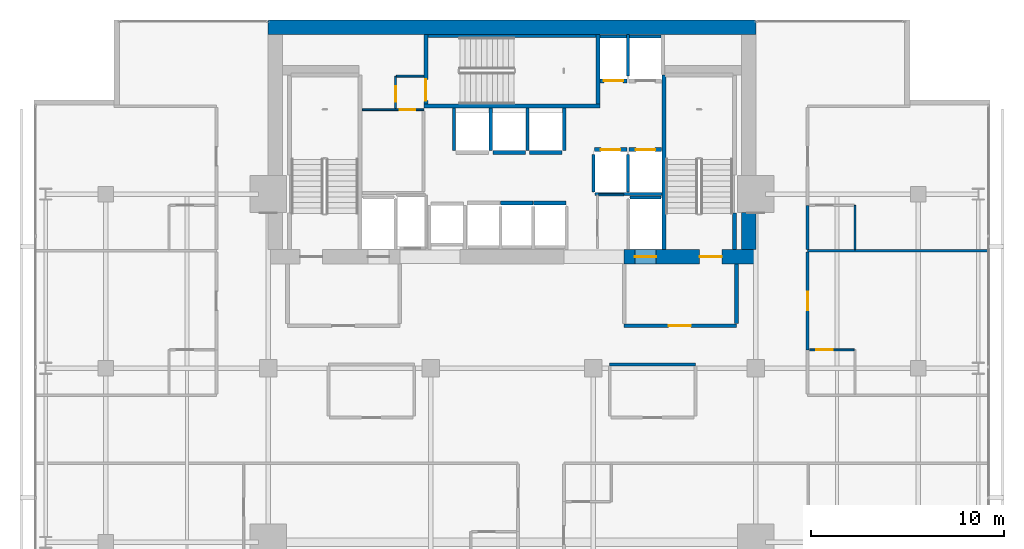
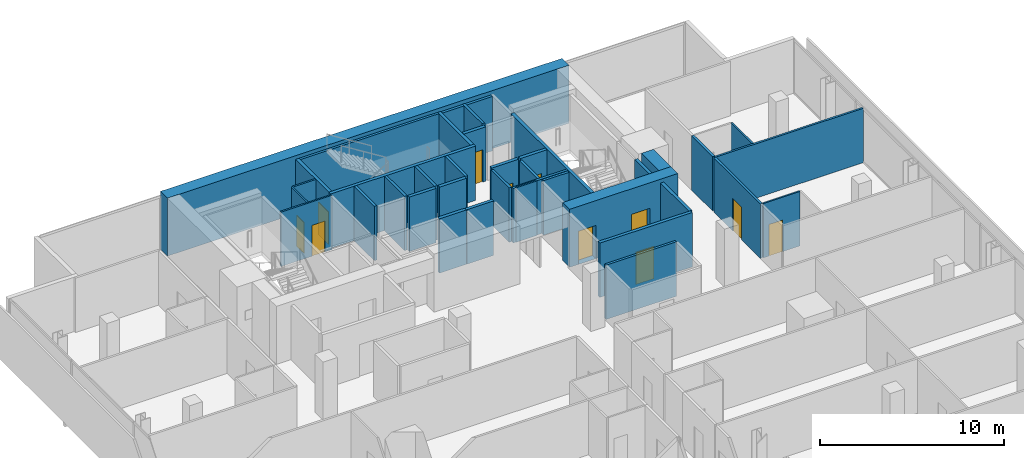
# One storey, part 30 of 33: 38 walls, 11 doors, 11 openings.
"""IFC4 building model written with IfcOpenShell, lengths in metres."""

import ifcopenshell
import ifcopenshell.guid

model = None  # the IFC model being written
_history = None  # IfcOwnerHistory: only IFC2X3 demands one
_inside = {}  # id of a spatial element -> (the spatial element, [elements in it])
_under = {}  # id of a project, library or spatial element -> (it, [spatial elements below it])
_declared = {}  # id of a project -> (the project, [libraries it declares])
_typed = {}  # id of a type object -> (the type object, [elements of that type])
_made_of = {}  # id of a material, layer set ... -> (it, [elements and type objects made of it])


def new_model(schema):
    """Start an empty IFC model of exactly this schema.

    Asked for "IFC4X3", IfcOpenShell would pick the latest addendum, in which some entities
    have other attributes; the version numbers below select the first issue.
    IFC2X3 requires an IfcOwnerHistory on every rooted entity: one is made here for all.
    """
    global model, _history
    if schema == "IFC4X3":
        model = ifcopenshell.file(schema_version=(4, 3, 0, 0))
    else:
        model = ifcopenshell.file(schema=schema)
    _inside.clear()
    _under.clear()
    _declared.clear()
    _typed.clear()
    _made_of.clear()
    _history = None
    if model.schema == "IFC2X3":
        org = make("IfcOrganization", Name="unknown")
        user = make(
            "IfcPersonAndOrganization",
            ThePerson=make("IfcPerson", FamilyName="unknown"),
            TheOrganization=org,
        )
        app = make(
            "IfcApplication",
            ApplicationDeveloper=org,
            Version="unknown",
            ApplicationFullName="unknown",
            ApplicationIdentifier="unknown",
        )
        _history = make(
            "IfcOwnerHistory",
            OwningUser=user,
            OwningApplication=app,
            ChangeAction="ADDED",
            CreationDate=0,
        )
    return model


def make(cls, **values):
    """One entity of the class cls with the attributes given. An attribute that is None is left unset."""
    return model.create_entity(
        cls, **{name: value for name, value in values.items() if value is not None}
    )


def rooted(cls, **values):
    """An entity with a GlobalId (a new one), such as an element, a storey or a relation."""
    return make(cls, GlobalId=ifcopenshell.guid.new(), OwnerHistory=_history, **values)


def si_unit(unit_type, name, prefix=None):
    """IfcSIUnit, for example si_unit("LENGTHUNIT", "METRE", prefix="MILLI")."""
    return make("IfcSIUnit", UnitType=unit_type, Prefix=prefix, Name=name)


def assignment(units):
    """IfcUnitAssignment: the units of a project."""
    return None if units is None else make("IfcUnitAssignment", Units=units)


def point(xyz):
    """IfcCartesianPoint."""
    return None if xyz is None else make("IfcCartesianPoint", Coordinates=xyz)


def direction(xyz):
    """IfcDirection."""
    return None if xyz is None else make("IfcDirection", DirectionRatios=xyz)


def frame(location, z_axis=None, x_axis=None):
    """IfcAxis2Placement3D, a coordinate frame: its origin and axes. An axis left out is left unset."""
    return make(
        "IfcAxis2Placement3D",
        Location=point(location),
        Axis=direction(z_axis),
        RefDirection=direction(x_axis),
    )


def frame_2d(location, x_axis=None):
    """IfcAxis2Placement2D, a coordinate frame in the plane: its origin and x axis."""
    return make(
        "IfcAxis2Placement2D", Location=point(location), RefDirection=direction(x_axis)
    )


def origin():
    """The frame at (0, 0, 0) with its axes left unset."""
    return frame((0.0, 0.0, 0.0))


def place(relative_to, where):
    """IfcLocalPlacement: puts the frame where relative to a parent placement (None: the world)."""
    return make(
        "IfcLocalPlacement", PlacementRelTo=relative_to, RelativePlacement=where
    )


def context(
    kind, dimensions, precision=None, world=None, true_north=None, identifier=None
):
    """IfcGeometricRepresentationContext, for example the 3D "Model" context."""
    return make(
        "IfcGeometricRepresentationContext",
        ContextIdentifier=identifier,
        ContextType=kind,
        CoordinateSpaceDimension=dimensions,
        Precision=precision,
        WorldCoordinateSystem=world,
        TrueNorth=true_north,
    )


def subcontext(parent, identifier, kind, view, scale=None):
    """IfcGeometricRepresentationSubContext, for example "Body" below "Model"."""
    return make(
        "IfcGeometricRepresentationSubContext",
        ContextIdentifier=identifier,
        ContextType=kind,
        ParentContext=parent,
        TargetScale=scale,
        TargetView=view,
    )


def project(units=None, contexts=None):
    """IfcProject with its units and contexts."""
    return rooted(
        "IfcProject",
        Name="project",
        RepresentationContexts=contexts,
        UnitsInContext=assignment(units),
    )


def spatial(cls, under=None, at=None, **own):
    """A site, building, storey or space (cls), placed at a placement, below another one or the project."""
    s = rooted(cls, ObjectPlacement=at, **own)
    if under is not None:
        _under.setdefault(under.id(), (under, []))[1].append(s)
    return s


def profile(cls, at=None, kind="AREA", **sizes):
    """A parametric profile (cls). Its sizes go by their IFC names, for example OverallWidth=200.0."""
    return make(cls, ProfileType=kind, Position=at, **sizes)


def rectangle(**sizes):
    """IfcRectangleProfileDef."""
    return profile("IfcRectangleProfileDef", **sizes)


def extrude(swept, where, along, depth):
    """IfcExtrudedAreaSolid: the profile swept, set in the frame where, extruded along a direction by depth."""
    return make(
        "IfcExtrudedAreaSolid",
        SweptArea=swept,
        Position=where,
        ExtrudedDirection=direction(along),
        Depth=depth,
    )


def shape(context_of_items, identifier, shape_type, items):
    """IfcShapeRepresentation: the items that make up one representation, for example the "Body"."""
    return make(
        "IfcShapeRepresentation",
        ContextOfItems=context_of_items,
        RepresentationIdentifier=identifier,
        RepresentationType=shape_type,
        Items=items,
    )


def material(Name=None, Category=None):
    """IfcMaterial."""
    return make("IfcMaterial", Name=Name, Category=Category)


def layer(
    of_material, thickness, ventilated=None, Name=None, Category=None, Priority=None
):
    """IfcMaterialLayer: one layer of a wall or slab, of a material (None: an air gap)."""
    return make(
        "IfcMaterialLayer",
        Material=of_material,
        LayerThickness=thickness,
        IsVentilated=ventilated,
        Name=Name,
        Category=Category,
        Priority=Priority,
    )


def layer_set(layers, Name=None):
    """IfcMaterialLayerSet."""
    return make("IfcMaterialLayerSet", MaterialLayers=layers, LayerSetName=Name)


def made_of(thing, what):
    """Note that an element or type object is made of a material, layer set ...; save() writes the relation."""
    if what is not None:
        _made_of.setdefault(what.id(), (what, []))[1].append(thing)
    return thing


def type_object(cls, material=None, **own):
    """A type object (cls), such as IfcWallType, which elements share."""
    return made_of(rooted(cls, **own), material)


def element(
    cls,
    number,
    at=None,
    inside=None,
    cuts=None,
    type_object=None,
    material=None,
    context=None,
    identifier="Body",
    shape_type=None,
    held_by="IfcProductDefinitionShape",
    body=None,
    shapes=None,
    **own,
):
    """One element of the class cls, such as IfcWall. Its Tag is "e" and its number.

    at: its placement. inside: the storey or other place that contains it. cuts: it is an
    opening in that element (IfcRelVoidsElement). A single representation is given by context,
    identifier, shape_type and body (its items); several are given by shapes. held_by: the class
    of the entity that holds the representations. save() writes the other relations.
    """
    e = rooted(cls, Tag="e%d" % number, ObjectPlacement=at, **own)
    if body is not None:
        shapes = [shape(context, identifier, shape_type, body)]
    if shapes is not None:
        e.Representation = make(held_by, Representations=shapes)
    if inside is not None:
        _inside.setdefault(inside.id(), (inside, []))[1].append(e)
    if cuts is not None:
        rooted(
            "IfcRelVoidsElement", RelatingBuildingElement=cuts, RelatedOpeningElement=e
        )
    if type_object is not None:
        _typed.setdefault(type_object.id(), (type_object, []))[1].append(e)
    return made_of(e, material)


def fill(opening, filler):
    """IfcRelFillsElement: the door or window that sits in an opening."""
    return rooted(
        "IfcRelFillsElement",
        RelatingOpeningElement=opening,
        RelatedBuildingElement=filler,
    )


def aggregate(whole, parts):
    """IfcRelAggregates: a whole, such as a stair, and the parts it consists of."""
    return rooted("IfcRelAggregates", RelatingObject=whole, RelatedObjects=parts)


def save(model, path):
    """Write the relations noted so far, then the file.

    IfcRelAggregates (storeys below a building ...), IfcRelContainedInSpatialStructure (elements
    in a storey), IfcRelDefinesByType, IfcRelAssociatesMaterial and IfcRelDeclares: one each for
    every whole, place, type object, material and project.
    """
    for whole, parts in _under.values():
        aggregate(whole, parts)
    for where, things in _inside.values():
        rooted(
            "IfcRelContainedInSpatialStructure",
            RelatedElements=things,
            RelatingStructure=where,
        )
    for kind, things in _typed.values():
        rooted("IfcRelDefinesByType", RelatedObjects=things, RelatingType=kind)
    for what, things in _made_of.values():
        rooted("IfcRelAssociatesMaterial", RelatedObjects=things, RelatingMaterial=what)
    for by, libraries in _declared.values():
        rooted("IfcRelDeclares", RelatingContext=by, RelatedDefinitions=libraries)
    model.write(path)


model = new_model("IFC4")

# Units and contexts
model_context = context("Model", 3, precision=1e-05, world=origin(), true_north=direction((0.0, 1.0)))
body_context = subcontext(model_context, "Body", "Model", "MODEL_VIEW")
ifc_project = project(units=[si_unit("LENGTHUNIT", "METRE"), si_unit("AREAUNIT", "SQUARE_METRE"), si_unit("VOLUMEUNIT", "CUBIC_METRE"), si_unit("PLANEANGLEUNIT", "RADIAN"), si_unit("MASSUNIT", "GRAM", prefix="KILO")], contexts=[model_context])

# Site, building, storey
site_placement = place(None, origin())
site = spatial("IfcSite", under=ifc_project, at=site_placement, CompositionType="ELEMENT")
building_placement = place(site_placement, origin())
building = spatial("IfcBuilding", under=site, at=building_placement, Name="Maruvema Waterfront Hotel and Observation Tower", CompositionType="ELEMENT")
storey_placement = place(building_placement, frame((0.0, 0.0, 154.35009765625)))
storey = spatial("IfcBuildingStorey", under=building, at=storey_placement, Name="L37", CompositionType="ELEMENT", Elevation=154.35009765625)

# Wall
ifc_material_1 = material(Name="Twin-stud acoustic gypsum drywall", Category="gypsum")
ifc_layer_1 = layer(ifc_material_1, 0.14990234375, Name="Acoustic Corridor and Suite Demising Wall 150 mm")
ifc_layer_set_1 = layer_set([ifc_layer_1], Name="Twin-stud acoustic gypsum drywall")
wall_type_1 = type_object("IfcWallType", Name="Acoustic Corridor and Suite Demising Wall 150 mm", PredefinedType="PARTITIONING", material=ifc_layer_set_1)
wall_1_placement = place(storey_placement, frame((42.85009765625, 36.199951171875, 0.0), z_axis=(0.0, 0.0, 1.0), x_axis=(1.0, 0.0, 0.0)))
element("IfcWall", 1, at=wall_1_placement, inside=storey, type_object=wall_type_1, Name="L37 L37-M2 Back Wall 021", PredefinedType="PARTITIONING", context=body_context, shape_type="SweptSolid", body=[
    extrude(rectangle(XDim=4.429931640625, YDim=0.14990234375, at=frame_2d((2.21484375, 0.0))), origin(), (0.0, 0.0, 1.0), 3.60986328125),
])

# Wall, opening, door
wall_2_placement = place(storey_placement, frame((53.080078125, 36.949951171875, 0.0), z_axis=(0.0, 0.0, 1.0), x_axis=(0.0, 1.0, 0.0)))
wall_2 = element("IfcWall", 2, at=wall_2_placement, inside=storey, type_object=wall_type_1, Name="L37 Room L37-NE1 Corridor Wall 103", PredefinedType="PARTITIONING", context=body_context, shape_type="SweptSolid", body=[
    extrude(rectangle(XDim=5.058837890625, YDim=0.14990234375, at=frame_2d((2.529296875, 0.0))), origin(), (0.0, 0.0, 1.0), 3.60986328125),
])
opening_1_placement = place(wall_2_placement, frame((2.054443359375, 0.0, 0.0)))
opening_1 = element("IfcOpeningElement", 3, at=opening_1_placement, cuts=wall_2, Name="Opening DR-095", PredefinedType="OPENING", context=body_context, shape_type="SweptSolid", body=[
    extrude(rectangle(XDim=0.949951171875, YDim=2.14990234375, at=frame_2d((0.47509765625, 1.074951171875))), frame((0.0, 0.0849609375, 0.0), z_axis=(0.0, -1.0, 0.0), x_axis=(1.0, 0.0, 0.0)), (0.0, 0.0, 1.0), 0.169921875),
])
ifc_material_2 = material(Name="Acoustic solid-core hardwood timber leaf", Category="wood")
door_type_1 = type_object("IfcDoorType", Name="Guestroom Entrance Fire Door 950x2150 mm", OperationType="NOTDEFINED", PredefinedType="DOOR", material=ifc_material_2)
door_1_placement = place(opening_1_placement, frame((0.949951171875, 0.0, 0.0), z_axis=(0.0, 0.0, 1.0), x_axis=(-1.0, 0.0, 0.0)))
door_1 = element("IfcDoor", 4, at=door_1_placement, inside=storey, type_object=door_type_1, Name="L37 Room L37-NE1 Entrance Door", OperationType="SINGLE_SWING_RIGHT", OverallHeight=2.14990234375, OverallWidth=0.949951171875, PredefinedType="DOOR", context=body_context, shape_type="SweptSolid", body=[
    extrude(rectangle(XDim=0.949951171875, YDim=2.14990234375, at=frame_2d((0.47509765625, 1.074951171875))), frame((0.0, 0.02490234375, 0.0), z_axis=(0.0, -1.0, 0.0), x_axis=(1.0, 0.0, 0.0)), (0.0, 0.0, 1.0), 0.050048828125),
])
fill(opening_1, door_1)

# Walls
wall_3_placement = place(storey_placement, frame((53.080078125, 42.12890625, 0.0), z_axis=(0.0, 0.0, 1.0), x_axis=(0.0, 1.0, 0.0)))
element("IfcWall", 5, at=wall_3_placement, inside=storey, type_object=wall_type_1, Name="L37 Bath L37-NE2 Wall 112", PredefinedType="PARTITIONING", context=body_context, shape_type="SweptSolid", body=[
    extrude(rectangle(XDim=2.289794921875, YDim=0.14990234375, at=frame_2d((1.14501953125, 0.0))), origin(), (0.0, 0.0, 1.0), 3.60986328125),
])
ifc_material_3 = material(Name="Precast concrete C45/55", Category="concrete")
ifc_layer_2 = layer(ifc_material_3, 0.14990234375, Name="Core Shaft Furring Wall 150 mm")
ifc_layer_set_2 = layer_set([ifc_layer_2], Name="Precast concrete C45/55")
wall_type_2 = type_object("IfcWallType", Name="Core Shaft Furring Wall 150 mm", PredefinedType="SOLIDWALL", material=ifc_layer_set_2)
wall_4_placement = place(storey_placement, frame((33.449951171875, 53.175048828125, 0.0), z_axis=(0.0, 0.0, 1.0), x_axis=(1.0, 0.0, 0.0)))
element("IfcWall", 6, at=wall_4_placement, inside=storey, type_object=wall_type_2, Name="L37 Stairwell ST-02 North Furring Wall", PredefinedType="SOLIDWALL", context=body_context, shape_type="SweptSolid", body=[
    extrude(rectangle(XDim=8.699951171875, YDim=0.14990234375, at=frame_2d((4.35009765625, 0.0))), origin(), (0.0, 0.0, 1.0), 3.60986328125),
])
ifc_material_4 = material(Name="Precast concrete C45/55", Category="concrete")
ifc_layer_3 = layer(ifc_material_4, 0.199951171875, Name="Core Shaft and Stairwell Enclosure Wall 200 mm")
ifc_layer_set_3 = layer_set([ifc_layer_3], Name="Precast concrete C45/55")
wall_type_3 = type_object("IfcWallType", Name="Core Shaft and Stairwell Enclosure Wall 200 mm", PredefinedType="SOLIDWALL", material=ifc_layer_set_3)
wall_5_placement = place(storey_placement, frame((33.25, 49.550048828125, 0.0), z_axis=(0.0, 0.0, 1.0), x_axis=(1.0, 0.0, 0.0)))
element("IfcWall", 7, at=wall_5_placement, inside=storey, type_object=wall_type_3, Name="L37 Stairwell ST-02 Shaft Wall", PredefinedType="SOLIDWALL", context=body_context, shape_type="SweptSolid", body=[
    extrude(rectangle(XDim=9.10009765625, YDim=0.199951171875, at=frame_2d((4.550048828125, 0.0))), origin(), (0.0, 0.0, 1.0), 3.60986328125),
])
wall_6_placement = place(storey_placement, frame((42.25, 49.64990234375, 0.0), z_axis=(0.0, 0.0, 1.0), x_axis=(0.0, 1.0, 0.0)))
element("IfcWall", 8, at=wall_6_placement, inside=storey, type_object=wall_type_3, Name="L37 Stairwell ST-02 Shaft Wall", PredefinedType="SOLIDWALL", context=body_context, shape_type="SweptSolid", body=[
    extrude(rectangle(XDim=3.60009765625, YDim=0.199951171875, at=frame_2d((1.800048828125, 0.0))), origin(), (0.0, 0.0, 1.0), 3.60986328125),
])

# Wall, opening, door
wall_7_placement = place(storey_placement, frame((33.35009765625, 49.64990234375, 0.0), z_axis=(0.0, 0.0, 1.0), x_axis=(0.0, 1.0, 0.0)))
wall_7 = element("IfcWall", 9, at=wall_7_placement, inside=storey, type_object=wall_type_3, Name="L37 Stairwell ST-02 Shaft Wall", PredefinedType="SOLIDWALL", context=body_context, shape_type="SweptSolid", body=[
    extrude(rectangle(XDim=3.60009765625, YDim=0.199951171875, at=frame_2d((1.800048828125, 0.0))), origin(), (0.0, 0.0, 1.0), 3.60986328125),
])
opening_2_placement = place(wall_7_placement, frame((0.179931640625, 0.0, 0.0)))
opening_2 = element("IfcOpeningElement", 10, at=opening_2_placement, cuts=wall_7, Name="Opening SD-02", PredefinedType="OPENING", context=body_context, shape_type="SweptSolid", body=[
    extrude(rectangle(XDim=1.10009765625, YDim=2.14990234375, at=frame_2d((0.550048828125, 1.074951171875))), frame((0.0, 0.10986328125, 0.0), z_axis=(0.0, -1.0, 0.0), x_axis=(1.0, 0.0, 0.0)), (0.0, 0.0, 1.0), 0.219970703125),
])
ifc_material_5 = material(Name="Fire-rated galvanised steel leaf", Category="steel")
door_type_2 = type_object("IfcDoorType", Name="Central Exit Stair Fire Door 1100x2150 mm", OperationType="NOTDEFINED", PredefinedType="DOOR", material=ifc_material_5)
door_2_placement = place(opening_2_placement, frame((1.10009765625, 0.0, 0.0), z_axis=(0.0, 0.0, 1.0), x_axis=(-1.0, 0.0, 0.0)))
door_2 = element("IfcDoor", 11, at=door_2_placement, inside=storey, type_object=door_type_2, Name="L37 Exit Stair ST-02 Fire Door", OperationType="SINGLE_SWING_LEFT", OverallHeight=2.14990234375, OverallWidth=1.10009765625, PredefinedType="DOOR", context=body_context, shape_type="SweptSolid", body=[
    extrude(rectangle(XDim=1.10009765625, YDim=2.14990234375, at=frame_2d((0.550048828125, 1.074951171875))), frame((0.0, 0.02490234375, 0.0), z_axis=(0.0, -1.0, 0.0), x_axis=(1.0, 0.0, 0.0)), (0.0, 0.0, 1.0), 0.050048828125),
])
fill(opening_2, door_2)

# Walls
wall_8_placement = place(storey_placement, frame((45.64990234375, 42.14990234375, 0.0), z_axis=(0.0, 0.0, 1.0), x_axis=(0.0, 1.0, 0.0)))
element("IfcWall", 12, at=wall_8_placement, inside=storey, type_object=wall_type_3, Name="L37 Stairwell ST-03 West Shaft Wall", PredefinedType="SOLIDWALL", context=body_context, shape_type="SweptSolid", body=[
    extrude(rectangle(XDim=9.0, YDim=0.199951171875, at=frame_2d((4.5, 0.0))), origin(), (0.0, 0.0, 1.0), 3.60986328125),
])
wall_9_placement = place(storey_placement, frame((49.300048828125, 42.14990234375, 0.0), z_axis=(0.0, 0.0, 1.0), x_axis=(0.0, 1.0, 0.0)))
element("IfcWall", 13, at=wall_9_placement, inside=storey, type_object=wall_type_3, Name="L37 Stairwell ST-03 Shaft Lining Wall", PredefinedType="SOLIDWALL", context=body_context, shape_type="SweptSolid", body=[
    extrude(rectangle(XDim=1.8701171875, YDim=0.199951171875, at=frame_2d((0.93505859375, 0.0))), origin(), (0.0, 0.0, 1.0), 3.60986328125),
])

# Wall, opening, door
wall_10_placement = place(storey_placement, frame((42.06005859375, 47.300048828125, 0.0), z_axis=(0.0, 0.0, 1.0), x_axis=(1.0, 0.0, 0.0)))
wall_10 = element("IfcWall", 14, at=wall_10_placement, inside=storey, type_object=wall_type_3, Name="L37 Lift LF-05 Hoistway Front Wall", PredefinedType="SOLIDWALL", context=body_context, shape_type="SweptSolid", body=[
    extrude(rectangle(XDim=1.679931640625, YDim=0.199951171875, at=frame_2d((0.83984375, 0.0))), origin(), (0.0, 0.0, 1.0), 3.60986328125),
])
opening_3_placement = place(wall_10_placement, frame((0.340087890625, 0.0, 0.0)))
opening_3 = element("IfcOpeningElement", 15, at=opening_3_placement, cuts=wall_10, Name="Opening LD-01", PredefinedType="OPENING", context=body_context, shape_type="SweptSolid", body=[
    extrude(rectangle(XDim=1.0, YDim=2.14990234375, at=frame_2d((0.5, 1.074951171875))), frame((0.0, 0.10986328125, 0.0), z_axis=(0.0, -1.0, 0.0), x_axis=(1.0, 0.0, 0.0)), (0.0, 0.0, 1.0), 0.219970703125),
])
ifc_material_6 = material(Name="Brushed stainless steel Grade 316", Category="steel")
door_type_3 = type_object("IfcDoorType", Name="Passenger Lift Sliding Landing Door 1000x2150 mm", OperationType="SLIDING_TO_LEFT", PredefinedType="DOOR", material=ifc_material_6)
door_3_placement = place(opening_3_placement, origin())
door_3 = element("IfcDoor", 16, at=door_3_placement, inside=storey, type_object=door_type_3, Name="L37 Lift LF-05 Sliding Landing Door", OperationType="SLIDING_TO_LEFT", OverallHeight=2.14990234375, OverallWidth=1.0, PredefinedType="DOOR", context=body_context, shape_type="SweptSolid", body=[
    extrude(rectangle(XDim=1.0, YDim=2.14990234375, at=frame_2d((0.5, 1.074951171875))), frame((0.0, 0.02490234375, 0.0), z_axis=(0.0, -1.0, 0.0), x_axis=(1.0, 0.0, 0.0)), (0.0, 0.0, 1.0), 0.050048828125),
])
fill(opening_3, door_3)

wall_11_placement = place(storey_placement, frame((43.860107421875, 47.300048828125, 0.0), z_axis=(0.0, 0.0, 1.0), x_axis=(1.0, 0.0, 0.0)))
wall_11 = element("IfcWall", 17, at=wall_11_placement, inside=storey, type_object=wall_type_3, Name="L37 Lift LF-06 Hoistway Front Wall", PredefinedType="SOLIDWALL", context=body_context, shape_type="SweptSolid", body=[
    extrude(rectangle(XDim=1.679931640625, YDim=0.199951171875, at=frame_2d((0.83984375, 0.0))), origin(), (0.0, 0.0, 1.0), 3.60986328125),
])
opening_4_placement = place(wall_11_placement, frame((0.340087890625, 0.0, 0.0)))
opening_4 = element("IfcOpeningElement", 18, at=opening_4_placement, cuts=wall_11, Name="Opening LD-01", PredefinedType="OPENING", context=body_context, shape_type="SweptSolid", body=[
    extrude(rectangle(XDim=1.0, YDim=2.14990234375, at=frame_2d((0.5, 1.074951171875))), frame((0.0, 0.10986328125, 0.0), z_axis=(0.0, -1.0, 0.0), x_axis=(1.0, 0.0, 0.0)), (0.0, 0.0, 1.0), 0.219970703125),
])
door_4_placement = place(opening_4_placement, origin())
door_4 = element("IfcDoor", 19, at=door_4_placement, inside=storey, type_object=door_type_3, Name="L37 Lift LF-06 Sliding Landing Door", OperationType="SLIDING_TO_LEFT", OverallHeight=2.14990234375, OverallWidth=1.0, PredefinedType="DOOR", context=body_context, shape_type="SweptSolid", body=[
    extrude(rectangle(XDim=1.0, YDim=2.14990234375, at=frame_2d((0.5, 1.074951171875))), frame((0.0, 0.02490234375, 0.0), z_axis=(0.0, -1.0, 0.0), x_axis=(1.0, 0.0, 0.0)), (0.0, 0.0, 1.0), 0.050048828125),
])
fill(opening_4, door_4)

wall_12_placement = place(storey_placement, frame((42.360107421875, 50.85009765625, 0.0), z_axis=(0.0, 0.0, 1.0), x_axis=(1.0, 0.0, 0.0)))
wall_12 = element("IfcWall", 20, at=wall_12_placement, inside=storey, type_object=wall_type_3, Name="L37 Lift LF-07 Hoistway Front Wall", PredefinedType="SOLIDWALL", context=body_context, shape_type="SweptSolid", body=[
    extrude(rectangle(XDim=1.3798828125, YDim=0.199951171875, at=frame_2d((0.68994140625, 0.0))), origin(), (0.0, 0.0, 1.0), 3.60986328125),
])
opening_5_placement = place(wall_12_placement, frame((0.18994140625, 0.0, 0.0)))
opening_5 = element("IfcOpeningElement", 21, at=opening_5_placement, cuts=wall_12, Name="Opening LD-01", PredefinedType="OPENING", context=body_context, shape_type="SweptSolid", body=[
    extrude(rectangle(XDim=1.0, YDim=2.14990234375, at=frame_2d((0.5, 1.074951171875))), frame((0.0, 0.10986328125, 0.0), z_axis=(0.0, -1.0, 0.0), x_axis=(1.0, 0.0, 0.0)), (0.0, 0.0, 1.0), 0.219970703125),
])
door_5_placement = place(opening_5_placement, frame((1.0, 0.0, 0.0), z_axis=(0.0, 0.0, 1.0), x_axis=(-1.0, 0.0, 0.0)))
door_5 = element("IfcDoor", 22, at=door_5_placement, inside=storey, type_object=door_type_3, Name="L37 Lift LF-07 Sliding Landing Door", OperationType="SLIDING_TO_LEFT", OverallHeight=2.14990234375, OverallWidth=1.0, PredefinedType="DOOR", context=body_context, shape_type="SweptSolid", body=[
    extrude(rectangle(XDim=1.0, YDim=2.14990234375, at=frame_2d((0.5, 1.074951171875))), frame((0.0, 0.02490234375, 0.0), z_axis=(0.0, -1.0, 0.0), x_axis=(1.0, 0.0, 0.0)), (0.0, 0.0, 1.0), 0.050048828125),
])
fill(opening_5, door_5)

# Walls
wall_13_placement = place(storey_placement, frame((37.2099609375, 44.550048828125, 0.0), z_axis=(0.0, 0.0, 1.0), x_axis=(1.0, 0.0, 0.0)))
element("IfcWall", 23, at=wall_13_placement, inside=storey, type_object=wall_type_3, Name="L37 Lift LF-10 Hoistway Front Wall", PredefinedType="SOLIDWALL", context=body_context, shape_type="SweptSolid", body=[
    extrude(rectangle(XDim=1.679931640625, YDim=0.199951171875, at=frame_2d((0.83984375, 0.0))), origin(), (0.0, 0.0, 1.0), 3.60986328125),
])
wall_14_placement = place(storey_placement, frame((38.909912109375, 44.550048828125, 0.0), z_axis=(0.0, 0.0, 1.0), x_axis=(1.0, 0.0, 0.0)))
element("IfcWall", 24, at=wall_14_placement, inside=storey, type_object=wall_type_3, Name="L37 Lift LF-11 Hoistway Front Wall", PredefinedType="SOLIDWALL", context=body_context, shape_type="SweptSolid", body=[
    extrude(rectangle(XDim=1.68017578125, YDim=0.199951171875, at=frame_2d((0.840087890625, 0.0))), origin(), (0.0, 0.0, 1.0), 3.60986328125),
])
for number, where, z_axis, x_axis, name in (
    (25, (36.81005859375, 47.14990234375, 0.0), (0.0, 0.0, 1.0), (1.0, 0.0, 0.0), "L37 Lift LF-13 Hoistway Front Wall"),
    (26, (38.7099609375, 47.14990234375, 0.0), (0.0, 0.0, 1.0), (1.0, 0.0, 0.0), "L37 Lift LF-14 Hoistway Front Wall"),
):
    element("IfcWall", number, at=place(storey_placement, frame(where, z_axis=z_axis, x_axis=x_axis)), inside=storey, type_object=wall_type_3, Name=name, PredefinedType="SOLIDWALL", context=body_context, shape_type="SweptSolid", body=[
        extrude(rectangle(XDim=1.679931640625, YDim=0.199951171875, at=frame_2d((0.83984375, 0.0))), origin(), (0.0, 0.0, 1.0), 3.60986328125),
    ])
ifc_material_7 = material(Name="Concrete C70/85", Category="concrete")
ifc_layer_4 = layer(ifc_material_7, 0.75, Name="Core Shear Wall 750 mm")
ifc_layer_set_4 = layer_set([ifc_layer_4], Name="Concrete C70/85")
wall_type_4 = type_object("IfcWallType", Name="Core Shear Wall 750 mm", PredefinedType="SHEAR", material=ifc_layer_set_4)
wall_15_placement = place(storey_placement, frame((25.199951171875, 53.625, 0.0), z_axis=(0.0, 0.0, 1.0), x_axis=(1.0, 0.0, 0.0)))
element("IfcWall", 27, at=wall_15_placement, inside=storey, type_object=wall_type_4, Name="L37 North Core Shear Wall", PredefinedType="SHEAR", context=body_context, shape_type="SweptSolid", body=[
    extrude(rectangle(XDim=25.199951171875, YDim=0.75, at=frame_2d((12.60009765625, 0.0))), origin(), (0.0, 0.0, 1.0), 3.849853515625),
])

# Wall, openings, doors
wall_16_placement = place(storey_placement, frame((43.60009765625, 41.77490234375, 0.0), z_axis=(0.0, 0.0, 1.0), x_axis=(1.0, 0.0, 0.0)))
wall_16 = element("IfcWall", 28, at=wall_16_placement, inside=storey, type_object=wall_type_4, Name="L37 South-East Core Shear Wall", PredefinedType="SHEAR", context=body_context, shape_type="SweptSolid", body=[
    extrude(rectangle(XDim=6.7998046875, YDim=0.75, at=frame_2d((3.39990234375, 0.0))), origin(), (0.0, 0.0, 1.0), 3.849853515625),
])
opening_6_placement = place(wall_16_placement, frame((3.89990234375, 0.0, 0.0)))
opening_6 = element("IfcOpeningElement", 29, at=opening_6_placement, cuts=wall_16, Name="Opening SD-01", PredefinedType="OPENING", context=body_context, shape_type="SweptSolid", body=[
    extrude(rectangle(XDim=1.14990234375, YDim=2.14990234375, at=frame_2d((0.574951171875, 1.074951171875))), frame((0.0, 0.385009765625, 0.0), z_axis=(0.0, -1.0, 0.0), x_axis=(1.0, 0.0, 0.0)), (0.0, 0.0, 1.0), 0.77001953125),
])
opening_7_placement = place(wall_16_placement, frame((0.550048828125, 0.0, 0.0)))
opening_7 = element("IfcOpeningElement", 30, at=opening_7_placement, cuts=wall_16, Name="Opening LD-03", PredefinedType="OPENING", context=body_context, shape_type="SweptSolid", body=[
    extrude(rectangle(XDim=1.10009765625, YDim=2.199951171875, at=frame_2d((0.550048828125, 1.10009765625))), frame((0.0, 0.385009765625, 0.0), z_axis=(0.0, -1.0, 0.0), x_axis=(1.0, 0.0, 0.0)), (0.0, 0.0, 1.0), 0.77001953125),
])
ifc_material_8 = material(Name="Fire-rated galvanised steel leaf", Category="steel")
door_type_4 = type_object("IfcDoorType", Name="Exit Stair Fire Door 1150x2150 mm", OperationType="NOTDEFINED", PredefinedType="DOOR", material=ifc_material_8)
door_6_placement = place(opening_6_placement, origin())
door_6 = element("IfcDoor", 31, at=door_6_placement, inside=storey, type_object=door_type_4, Name="L37 Exit Stair ST-03 Fire Door", OperationType="SINGLE_SWING_RIGHT", OverallHeight=2.14990234375, OverallWidth=1.14990234375, PredefinedType="DOOR", context=body_context, shape_type="SweptSolid", body=[
    extrude(rectangle(XDim=1.14990234375, YDim=2.14990234375, at=frame_2d((0.574951171875, 1.074951171875))), frame((0.0, 0.02490234375, 0.0), z_axis=(0.0, -1.0, 0.0), x_axis=(1.0, 0.0, 0.0)), (0.0, 0.0, 1.0), 0.050048828125),
])
fill(opening_6, door_6)
ifc_material_9 = material(Name="Brushed stainless steel Grade 316", Category="steel")
door_type_5 = type_object("IfcDoorType", Name="Firefighting Lift Sliding Landing Door 1100x2200 mm", OperationType="SLIDING_TO_LEFT", PredefinedType="DOOR", material=ifc_material_9)
door_7_placement = place(opening_7_placement, frame((1.10009765625, 0.0, 0.0), z_axis=(0.0, 0.0, 1.0), x_axis=(-1.0, 0.0, 0.0)))
door_7 = element("IfcDoor", 32, at=door_7_placement, inside=storey, type_object=door_type_5, Name="L37 Firefighting Lift FL-02 Landing Door", OperationType="SLIDING_TO_LEFT", OverallHeight=2.199951171875, OverallWidth=1.10009765625, PredefinedType="DOOR", context=body_context, shape_type="SweptSolid", body=[
    extrude(rectangle(XDim=1.10009765625, YDim=2.199951171875, at=frame_2d((0.550048828125, 1.10009765625))), frame((0.0, 0.02490234375, 0.0), z_axis=(0.0, -1.0, 0.0), x_axis=(1.0, 0.0, 0.0)), (0.0, 0.0, 1.0), 0.050048828125),
])
fill(opening_7, door_7)

# Walls
wall_17_placement = place(storey_placement, frame((50.02490234375, 42.14990234375, 0.0), z_axis=(0.0, 0.0, 1.0), x_axis=(0.0, 1.0, 0.0)))
element("IfcWall", 33, at=wall_17_placement, inside=storey, type_object=wall_type_4, Name="L37 East-South Core Shear Wall", PredefinedType="SHEAR", context=body_context, shape_type="SweptSolid", body=[
    extrude(rectangle(XDim=1.900146484375, YDim=0.75, at=frame_2d((0.9501953125, 0.0))), origin(), (0.0, 0.0, 1.0), 3.849853515625),
])
ifc_material_10 = material(Name="Moisture-resistant cement-board drywall", Category="gypsum")
ifc_layer_5 = layer(ifc_material_10, 0.10009765625, Name="En-Suite Moisture-Resistant Partition 100 mm")
ifc_layer_set_5 = layer_set([ifc_layer_5], Name="Moisture-resistant cement-board drywall")
wall_type_5 = type_object("IfcWallType", Name="En-Suite Moisture-Resistant Partition 100 mm", PredefinedType="PARTITIONING", material=ifc_layer_set_5)
wall_18_placement = place(storey_placement, frame((42.280029296875, 44.9599609375, 0.0), z_axis=(0.0, 0.0, 1.0), x_axis=(1.0, 0.0, 0.0)))
element("IfcWall", 34, at=wall_18_placement, inside=storey, type_object=wall_type_5, Name="L37 Core Closet K1 North 011", PredefinedType="PARTITIONING", context=body_context, shape_type="SweptSolid", body=[
    extrude(rectangle(XDim=1.300048828125, YDim=0.10009765625, at=frame_2d((0.64990234375, 0.0))), origin(), (0.0, 0.0, 1.0), 3.60986328125),
])

# Wall, opening, door
wall_19_placement = place(storey_placement, frame((30.06005859375, 49.360107421875, 0.0), z_axis=(0.0, 0.0, 1.0), x_axis=(1.0, 0.0, 0.0)))
wall_19 = element("IfcWall", 35, at=wall_19_placement, inside=storey, type_object=wall_type_5, Name="L37 Freed B1 Mid Wall 014", PredefinedType="PARTITIONING", context=body_context, shape_type="SweptSolid", body=[
    extrude(rectangle(XDim=3.179931640625, YDim=0.10009765625, at=frame_2d((1.58984375, 0.0))), origin(), (0.0, 0.0, 1.0), 3.60986328125),
])
opening_8_placement = place(wall_19_placement, frame((1.949951171875, 0.0, 0.0)))
opening_8 = element("IfcOpeningElement", 36, at=opening_8_placement, cuts=wall_19, Name="Opening DR-080", PredefinedType="OPENING", context=body_context, shape_type="SweptSolid", body=[
    extrude(rectangle(XDim=0.800048828125, YDim=2.050048828125, at=frame_2d((0.39990234375, 1.02490234375))), frame((0.0, 0.06005859375, 0.0), z_axis=(0.0, -1.0, 0.0), x_axis=(1.0, 0.0, 0.0)), (0.0, 0.0, 1.0), 0.1201171875),
])
ifc_material_11 = material(Name="Powder-coated steel access leaf", Category="steel")
door_type_6 = type_object("IfcDoorType", Name="Riser and Service Cupboard Door 800x2050 mm", OperationType="NOTDEFINED", PredefinedType="DOOR", material=ifc_material_11)
door_8_placement = place(opening_8_placement, origin())
door_8 = element("IfcDoor", 37, at=door_8_placement, inside=storey, type_object=door_type_6, Name="L37 Housekeeping and Linen Room Door", OperationType="SINGLE_SWING_LEFT", OverallHeight=2.050048828125, OverallWidth=0.800048828125, PredefinedType="DOOR", context=body_context, shape_type="SweptSolid", body=[
    extrude(rectangle(XDim=0.800048828125, YDim=2.050048828125, at=frame_2d((0.39990234375, 1.02490234375))), frame((0.0, 0.02490234375, 0.0), z_axis=(0.0, -1.0, 0.0), x_axis=(1.0, 0.0, 0.0)), (0.0, 0.0, 1.0), 0.050048828125),
])
fill(opening_8, door_8)

wall_20_placement = place(storey_placement, frame((31.780029296875, 49.419921875, 0.0), z_axis=(0.0, 0.0, 1.0), x_axis=(0.0, 1.0, 0.0)))
wall_20 = element("IfcWall", 38, at=wall_20_placement, inside=storey, type_object=wall_type_5, Name="L37 Freed B1 NW East Wall 015", PredefinedType="PARTITIONING", context=body_context, shape_type="SweptSolid", body=[
    extrude(rectangle(XDim=1.68017578125, YDim=0.10009765625, at=frame_2d((0.840087890625, 0.0))), origin(), (0.0, 0.0, 1.0), 3.60986328125),
])
opening_9_placement = place(wall_20_placement, frame((0.35009765625, 0.0, 0.0)))
opening_9 = element("IfcOpeningElement", 39, at=opening_9_placement, cuts=wall_20, Name="Opening DR-080", PredefinedType="OPENING", context=body_context, shape_type="SweptSolid", body=[
    extrude(rectangle(XDim=0.800048828125, YDim=2.050048828125, at=frame_2d((0.39990234375, 1.02490234375))), frame((0.0, 0.06005859375, 0.0), z_axis=(0.0, -1.0, 0.0), x_axis=(1.0, 0.0, 0.0)), (0.0, 0.0, 1.0), 0.1201171875),
])
door_9_placement = place(opening_9_placement, origin())
door_9 = element("IfcDoor", 40, at=door_9_placement, inside=storey, type_object=door_type_6, Name="L37 Guest Floor Pantry Door", OperationType="SINGLE_SWING_RIGHT", OverallHeight=2.050048828125, OverallWidth=0.800048828125, PredefinedType="DOOR", context=body_context, shape_type="SweptSolid", body=[
    extrude(rectangle(XDim=0.800048828125, YDim=2.050048828125, at=frame_2d((0.39990234375, 1.02490234375))), frame((0.0, 0.02490234375, 0.0), z_axis=(0.0, -1.0, 0.0), x_axis=(1.0, 0.0, 0.0)), (0.0, 0.0, 1.0), 0.050048828125),
])
fill(opening_9, door_9)

# Wall
wall_21_placement = place(storey_placement, frame((31.820068359375, 51.10009765625, 0.0), z_axis=(0.0, 0.0, 1.0), x_axis=(1.0, 0.0, 0.0)))
element("IfcWall", 41, at=wall_21_placement, inside=storey, type_object=wall_type_5, Name="L37 Freed B1 Vestibule North Wall 016", PredefinedType="PARTITIONING", context=body_context, shape_type="SweptSolid", body=[
    extrude(rectangle(XDim=1.419921875, YDim=0.10009765625, at=frame_2d((0.7099609375, 0.0))), origin(), (0.0, 0.0, 1.0), 3.60986328125),
])

# Wall, opening, door
wall_22_placement = place(storey_placement, frame((53.179931640625, 36.949951171875, 0.0), z_axis=(0.0, 0.0, 1.0), x_axis=(1.0, 0.0, 0.0)))
wall_22 = element("IfcWall", 42, at=wall_22_placement, inside=storey, type_object=wall_type_5, Name="L37 En-Suite L37-NE1 N 105", PredefinedType="PARTITIONING", context=body_context, shape_type="SweptSolid", body=[
    extrude(rectangle(XDim=2.300048828125, YDim=0.10009765625, at=frame_2d((1.14990234375, 0.0))), origin(), (0.0, 0.0, 1.0), 3.60986328125),
])
opening_10_placement = place(wall_22_placement, frame((0.35009765625, 0.0, 0.0)))
opening_10 = element("IfcOpeningElement", 43, at=opening_10_placement, cuts=wall_22, Name="Opening DR-085", PredefinedType="OPENING", context=body_context, shape_type="SweptSolid", body=[
    extrude(rectangle(XDim=0.85009765625, YDim=2.10009765625, at=frame_2d((0.425048828125, 1.050048828125))), frame((0.0, 0.06005859375, 0.0), z_axis=(0.0, -1.0, 0.0), x_axis=(1.0, 0.0, 0.0)), (0.0, 0.0, 1.0), 0.1201171875),
])
ifc_material_12 = material(Name="Moisture-resistant solid timber leaf", Category="wood")
door_type_7 = type_object("IfcDoorType", Name="En-Suite Bathroom Door 850x2100 mm", OperationType="NOTDEFINED", PredefinedType="DOOR", material=ifc_material_12)
door_10_placement = place(opening_10_placement, origin())
door_10 = element("IfcDoor", 44, at=door_10_placement, inside=storey, type_object=door_type_7, Name="L37 En-Suite L37-NE1 Door", OperationType="SINGLE_SWING_LEFT", OverallHeight=2.10009765625, OverallWidth=0.85009765625, PredefinedType="DOOR", context=body_context, shape_type="SweptSolid", body=[
    extrude(rectangle(XDim=0.85009765625, YDim=2.10009765625, at=frame_2d((0.425048828125, 1.050048828125))), frame((0.0, 0.02490234375, 0.0), z_axis=(0.0, -1.0, 0.0), x_axis=(1.0, 0.0, 0.0)), (0.0, 0.0, 1.0), 0.050048828125),
])
fill(opening_10, door_10)

# Wall
wall_23_placement = place(storey_placement, frame((55.530029296875, 42.12890625, 0.0), z_axis=(0.0, 0.0, 1.0), x_axis=(0.0, 1.0, 0.0)))
element("IfcWall", 45, at=wall_23_placement, inside=storey, type_object=wall_type_5, Name="L37 En-Suite L37-NE2 E 114", PredefinedType="PARTITIONING", context=body_context, shape_type="SweptSolid", body=[
    extrude(rectangle(XDim=2.289794921875, YDim=0.10009765625, at=frame_2d((1.14501953125, 0.0))), origin(), (0.0, 0.0, 1.0), 3.60986328125),
])

# Wall, opening, door
ifc_material_13 = material(Name="Autoclaved cellular concrete blockwork", Category="masonry")
ifc_layer_6 = layer(ifc_material_13, 0.199951171875, Name="Fire Compartment Masonry Wall 200 mm")
ifc_layer_set_6 = layer_set([ifc_layer_6], Name="Autoclaved cellular concrete blockwork")
wall_type_6 = type_object("IfcWallType", Name="Fire Compartment Masonry Wall 200 mm", PredefinedType="PARTITIONING", material=ifc_layer_set_6)
wall_24_placement = place(storey_placement, frame((43.60009765625, 38.199951171875, 0.0), z_axis=(0.0, 0.0, 1.0), x_axis=(1.0, 0.0, 0.0)))
wall_24 = element("IfcWall", 46, at=wall_24_placement, inside=storey, type_object=wall_type_6, Name="L37 FFL East South Wall 004", PredefinedType="PARTITIONING", context=body_context, shape_type="SweptSolid", body=[
    extrude(rectangle(XDim=5.7998046875, YDim=0.199951171875, at=frame_2d((2.89990234375, 0.0))), origin(), (0.0, 0.0, 1.0), 3.60986328125),
])
opening_11_placement = place(wall_24_placement, frame((2.300048828125, 0.0, 0.0)))
opening_11 = element("IfcOpeningElement", 47, at=opening_11_placement, cuts=wall_24, Name="Opening FD-115", PredefinedType="OPENING", context=body_context, shape_type="SweptSolid", body=[
    extrude(rectangle(XDim=1.14990234375, YDim=2.14990234375, at=frame_2d((0.574951171875, 1.074951171875))), frame((0.0, 0.10986328125, 0.0), z_axis=(0.0, -1.0, 0.0), x_axis=(1.0, 0.0, 0.0)), (0.0, 0.0, 1.0), 0.219970703125),
])
ifc_material_14 = material(Name="Fire-rated galvanised steel and vision glass", Category="steel")
door_type_8 = type_object("IfcDoorType", Name="Firefighting Lobby Fire Door 1150x2150 mm", OperationType="NOTDEFINED", PredefinedType="DOOR", material=ifc_material_14)
door_11_placement = place(opening_11_placement, frame((1.14990234375, 0.0, 0.0), z_axis=(0.0, 0.0, 1.0), x_axis=(-1.0, 0.0, 0.0)))
door_11 = element("IfcDoor", 48, at=door_11_placement, inside=storey, type_object=door_type_8, Name="L37 Firefighting Lobby East Door", OperationType="SINGLE_SWING_RIGHT", OverallHeight=2.14990234375, OverallWidth=1.14990234375, PredefinedType="DOOR", context=body_context, shape_type="SweptSolid", body=[
    extrude(rectangle(XDim=1.14990234375, YDim=2.14990234375, at=frame_2d((0.574951171875, 1.074951171875))), frame((0.0, 0.02490234375, 0.0), z_axis=(0.0, -1.0, 0.0), x_axis=(1.0, 0.0, 0.0)), (0.0, 0.0, 1.0), 0.050048828125),
])
fill(opening_11, door_11)

# Walls
wall_25_placement = place(storey_placement, frame((49.39990234375, 38.31005859375, 0.0), z_axis=(0.0, 0.0, 1.0), x_axis=(0.0, 1.0, 0.0)))
element("IfcWall", 49, at=wall_25_placement, inside=storey, type_object=wall_type_6, Name="L37 FFL East East Wall 006", PredefinedType="PARTITIONING", context=body_context, shape_type="SweptSolid", body=[
    extrude(rectangle(XDim=3.06982421875, YDim=0.199951171875, at=frame_2d((1.534912109375, 0.0))), origin(), (0.0, 0.0, 1.0), 3.60986328125),
])
ifc_material_15 = material(Name="Acoustic gypsum plasterboard drywall", Category="gypsum")
ifc_layer_7 = layer(ifc_material_15, 0.125, Name="Guestroom Acoustic Demising Wall 125 mm")
ifc_layer_set_7 = layer_set([ifc_layer_7], Name="Acoustic gypsum plasterboard drywall")
wall_type_7 = type_object("IfcWallType", Name="Guestroom Acoustic Demising Wall 125 mm", PredefinedType="PARTITIONING", material=ifc_layer_set_7)
wall_26_placement = place(storey_placement, frame((53.080078125, 42.06884765625, 0.0), z_axis=(0.0, 0.0, 1.0), x_axis=(1.0, 0.0, 0.0)))
element("IfcWall", 50, at=wall_26_placement, inside=storey, type_object=wall_type_7, Name="L37 Z2 NE Demising 2 107", PredefinedType="PARTITIONING", context=body_context, shape_type="SweptSolid", body=[
    extrude(rectangle(XDim=9.31982421875, YDim=0.125, at=frame_2d((4.659912109375, 0.0))), origin(), (0.0, 0.0, 1.0), 3.60986328125),
])
ifc_material_16 = material(Name="Precast concrete C45/55", Category="concrete")
ifc_layer_8 = layer(ifc_material_16, 0.159912109375, Name="Lift Hoistway Divider Wall 160 mm")
ifc_layer_set_8 = layer_set([ifc_layer_8], Name="Precast concrete C45/55")
wall_type_8 = type_object("IfcWallType", Name="Lift Hoistway Divider Wall 160 mm", PredefinedType="SOLIDWALL", material=ifc_layer_set_8)
wall_27_placement = place(storey_placement, frame((43.89990234375, 44.830078125, 0.0), z_axis=(0.0, 0.0, 1.0), x_axis=(1.0, 0.0, 0.0)))
element("IfcWall", 51, at=wall_27_placement, inside=storey, type_object=wall_type_8, Name="L37 Lift FL-02 Rear Hoistway Wall", PredefinedType="SOLIDWALL", context=body_context, shape_type="SweptSolid", body=[
    extrude(rectangle(XDim=1.60009765625, YDim=0.159912109375, at=frame_2d((0.800048828125, 0.0))), origin(), (0.0, 0.0, 1.0), 3.60986328125),
])
for number, where, z_axis, x_axis, name in (
    (52, (42.02001953125, 45.10009765625, 0.0), (0.0, 0.0, 1.0), (0.0, 1.0, 0.0), "L37 Hoistway Divider Wall"),
    (53, (43.800048828125, 45.10009765625, 0.0), (0.0, 0.0, 1.0), (0.0, 1.0, 0.0), "L37 Hoistway Divider Wall"),
):
    element("IfcWall", number, at=place(storey_placement, frame(where, z_axis=z_axis, x_axis=x_axis)), inside=storey, type_object=wall_type_8, Name=name, PredefinedType="SOLIDWALL", context=body_context, shape_type="SweptSolid", body=[
        extrude(rectangle(XDim=1.949951171875, YDim=0.159912109375, at=frame_2d((0.97509765625, 0.0))), origin(), (0.0, 0.0, 1.0), 3.60986328125),
    ])
wall_28_placement = place(storey_placement, frame((42.10009765625, 45.010009765625, 0.0), z_axis=(0.0, 0.0, 1.0), x_axis=(1.0, 0.0, 0.0)))
element("IfcWall", 54, at=wall_28_placement, inside=storey, type_object=wall_type_8, Name="L37 Hoistway Divider Wall", PredefinedType="SOLIDWALL", context=body_context, shape_type="SweptSolid", body=[
    extrude(rectangle(XDim=3.449951171875, YDim=0.159912109375, at=frame_2d((1.72509765625, 0.0))), origin(), (0.0, 0.0, 1.0), 3.60986328125),
])
wall_29_placement = place(storey_placement, frame((43.800048828125, 51.10009765625, 0.0), z_axis=(0.0, 0.0, 1.0), x_axis=(0.0, 1.0, 0.0)))
element("IfcWall", 55, at=wall_29_placement, inside=storey, type_object=wall_type_8, Name="L37 Hoistway Divider Wall", PredefinedType="SOLIDWALL", context=body_context, shape_type="SweptSolid", body=[
    extrude(rectangle(XDim=2.14990234375, YDim=0.159912109375, at=frame_2d((1.074951171875, 0.0))), origin(), (0.0, 0.0, 1.0), 3.60986328125),
])
wall_30_placement = place(storey_placement, frame((42.360107421875, 53.139892578125, 0.0), z_axis=(0.0, 0.0, 1.0), x_axis=(1.0, 0.0, 0.0)))
element("IfcWall", 56, at=wall_30_placement, inside=storey, type_object=wall_type_8, Name="L37 Hoistway Divider Wall", PredefinedType="SOLIDWALL", context=body_context, shape_type="SweptSolid", body=[
    extrude(rectangle(XDim=3.139892578125, YDim=0.159912109375, at=frame_2d((1.56982421875, 0.0))), origin(), (0.0, 0.0, 1.0), 3.60986328125),
])
for number, where, z_axis, x_axis, name in (
    (57, (34.800048828125, 47.25, 0.0), (0.0, 0.0, 1.0), (0.0, 1.0, 0.0), "L37 Hoistway Divider Wall"),
    (58, (36.699951171875, 47.25, 0.0), (0.0, 0.0, 1.0), (0.0, 1.0, 0.0), "L37 Hoistway Divider Wall"),
    (59, (38.60009765625, 47.25, 0.0), (0.0, 0.0, 1.0), (0.0, 1.0, 0.0), "L37 Hoistway Divider Wall"),
    (60, (40.5, 47.25, 0.0), (0.0, 0.0, 1.0), (0.0, 1.0, 0.0), "L37 Hoistway Divider Wall"),
):
    element("IfcWall", number, at=place(storey_placement, frame(where, z_axis=z_axis, x_axis=x_axis)), inside=storey, type_object=wall_type_8, Name=name, PredefinedType="SOLIDWALL", context=body_context, shape_type="SweptSolid", body=[
        extrude(rectangle(XDim=2.18994140625, YDim=0.159912109375, at=frame_2d((1.094970703125, 0.0))), origin(), (0.0, 0.0, 1.0), 3.60986328125),
    ])

save(model, "model.ifc")
